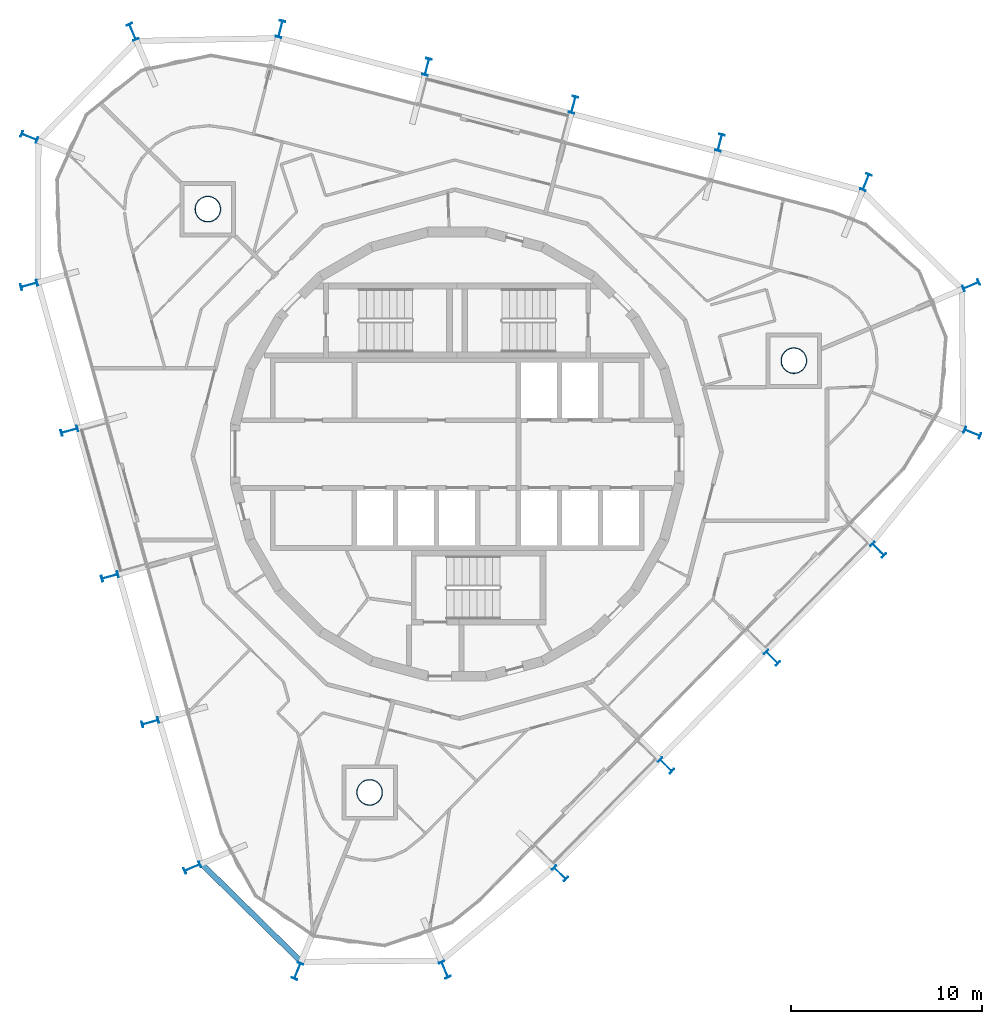
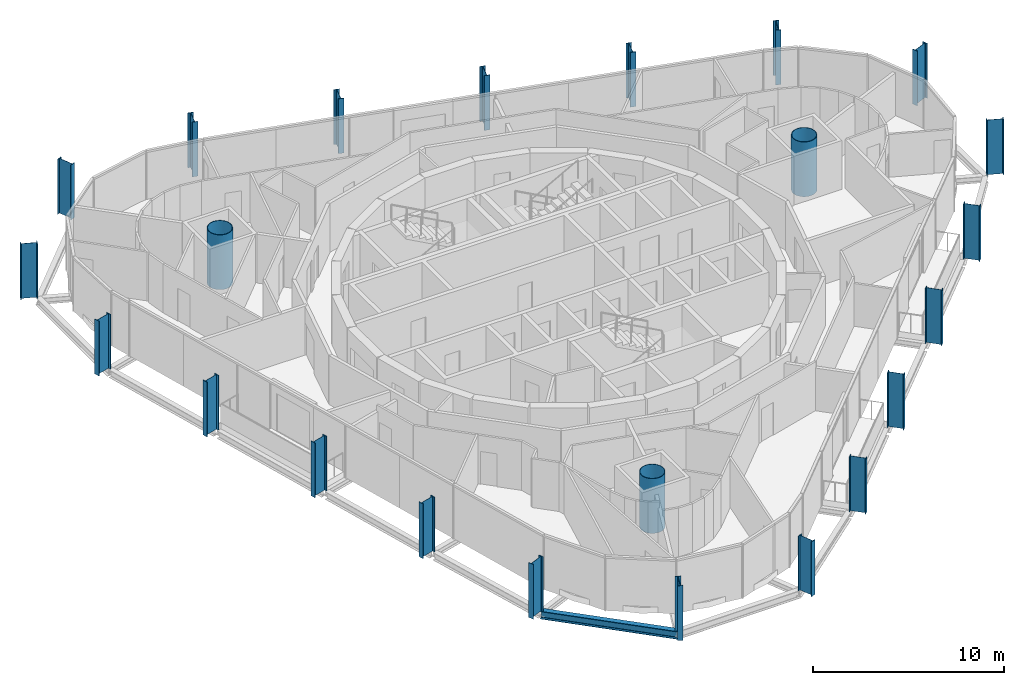
# One storey, part 1 of 15: 23 columns, 1 beam.
"""IFC4 building model written with IfcOpenShell, lengths in metres."""

import ifcopenshell
import ifcopenshell.guid

model = None  # the IFC model being written
_history = None  # IfcOwnerHistory: only IFC2X3 demands one
_inside = {}  # id of a spatial element -> (the spatial element, [elements in it])
_under = {}  # id of a project, library or spatial element -> (it, [spatial elements below it])
_declared = {}  # id of a project -> (the project, [libraries it declares])
_typed = {}  # id of a type object -> (the type object, [elements of that type])
_made_of = {}  # id of a material, layer set ... -> (it, [elements and type objects made of it])


def new_model(schema):
    """Start an empty IFC model of exactly this schema.

    Asked for "IFC4X3", IfcOpenShell would pick the latest addendum, in which some entities
    have other attributes; the version numbers below select the first issue.
    IFC2X3 requires an IfcOwnerHistory on every rooted entity: one is made here for all.
    """
    global model, _history
    if schema == "IFC4X3":
        model = ifcopenshell.file(schema_version=(4, 3, 0, 0))
    else:
        model = ifcopenshell.file(schema=schema)
    _inside.clear()
    _under.clear()
    _declared.clear()
    _typed.clear()
    _made_of.clear()
    _history = None
    if model.schema == "IFC2X3":
        org = make("IfcOrganization", Name="unknown")
        user = make(
            "IfcPersonAndOrganization",
            ThePerson=make("IfcPerson", FamilyName="unknown"),
            TheOrganization=org,
        )
        app = make(
            "IfcApplication",
            ApplicationDeveloper=org,
            Version="unknown",
            ApplicationFullName="unknown",
            ApplicationIdentifier="unknown",
        )
        _history = make(
            "IfcOwnerHistory",
            OwningUser=user,
            OwningApplication=app,
            ChangeAction="ADDED",
            CreationDate=0,
        )
    return model


def make(cls, **values):
    """One entity of the class cls with the attributes given. An attribute that is None is left unset."""
    return model.create_entity(
        cls, **{name: value for name, value in values.items() if value is not None}
    )


def rooted(cls, **values):
    """An entity with a GlobalId (a new one), such as an element, a storey or a relation."""
    return make(cls, GlobalId=ifcopenshell.guid.new(), OwnerHistory=_history, **values)


def si_unit(unit_type, name, prefix=None):
    """IfcSIUnit, for example si_unit("LENGTHUNIT", "METRE", prefix="MILLI")."""
    return make("IfcSIUnit", UnitType=unit_type, Prefix=prefix, Name=name)


def assignment(units):
    """IfcUnitAssignment: the units of a project."""
    return None if units is None else make("IfcUnitAssignment", Units=units)


def point(xyz):
    """IfcCartesianPoint."""
    return None if xyz is None else make("IfcCartesianPoint", Coordinates=xyz)


def direction(xyz):
    """IfcDirection."""
    return None if xyz is None else make("IfcDirection", DirectionRatios=xyz)


def frame(location, z_axis=None, x_axis=None):
    """IfcAxis2Placement3D, a coordinate frame: its origin and axes. An axis left out is left unset."""
    return make(
        "IfcAxis2Placement3D",
        Location=point(location),
        Axis=direction(z_axis),
        RefDirection=direction(x_axis),
    )


def frame_2d(location, x_axis=None):
    """IfcAxis2Placement2D, a coordinate frame in the plane: its origin and x axis."""
    return make(
        "IfcAxis2Placement2D", Location=point(location), RefDirection=direction(x_axis)
    )


def origin():
    """The frame at (0, 0, 0) with its axes left unset."""
    return frame((0.0, 0.0, 0.0))


def origin_2d():
    """The frame at (0, 0) in the plane with its x axis left unset."""
    return frame_2d((0.0, 0.0))


def place(relative_to, where):
    """IfcLocalPlacement: puts the frame where relative to a parent placement (None: the world)."""
    return make(
        "IfcLocalPlacement", PlacementRelTo=relative_to, RelativePlacement=where
    )


def context(
    kind, dimensions, precision=None, world=None, true_north=None, identifier=None
):
    """IfcGeometricRepresentationContext, for example the 3D "Model" context."""
    return make(
        "IfcGeometricRepresentationContext",
        ContextIdentifier=identifier,
        ContextType=kind,
        CoordinateSpaceDimension=dimensions,
        Precision=precision,
        WorldCoordinateSystem=world,
        TrueNorth=true_north,
    )


def subcontext(parent, identifier, kind, view, scale=None):
    """IfcGeometricRepresentationSubContext, for example "Body" below "Model"."""
    return make(
        "IfcGeometricRepresentationSubContext",
        ContextIdentifier=identifier,
        ContextType=kind,
        ParentContext=parent,
        TargetScale=scale,
        TargetView=view,
    )


def project(units=None, contexts=None):
    """IfcProject with its units and contexts."""
    return rooted(
        "IfcProject",
        Name="project",
        RepresentationContexts=contexts,
        UnitsInContext=assignment(units),
    )


def spatial(cls, under=None, at=None, **own):
    """A site, building, storey or space (cls), placed at a placement, below another one or the project."""
    s = rooted(cls, ObjectPlacement=at, **own)
    if under is not None:
        _under.setdefault(under.id(), (under, []))[1].append(s)
    return s


def profile(cls, at=None, kind="AREA", **sizes):
    """A parametric profile (cls). Its sizes go by their IFC names, for example OverallWidth=200.0."""
    return make(cls, ProfileType=kind, Position=at, **sizes)


def hollow_circle(**sizes):
    """IfcCircleHollowProfileDef."""
    return profile("IfcCircleHollowProfileDef", **sizes)


def i_section(**sizes):
    """IfcIShapeProfileDef."""
    return profile("IfcIShapeProfileDef", **sizes)


def extrude(swept, where, along, depth):
    """IfcExtrudedAreaSolid: the profile swept, set in the frame where, extruded along a direction by depth."""
    return make(
        "IfcExtrudedAreaSolid",
        SweptArea=swept,
        Position=where,
        ExtrudedDirection=direction(along),
        Depth=depth,
    )


def shape(context_of_items, identifier, shape_type, items):
    """IfcShapeRepresentation: the items that make up one representation, for example the "Body"."""
    return make(
        "IfcShapeRepresentation",
        ContextOfItems=context_of_items,
        RepresentationIdentifier=identifier,
        RepresentationType=shape_type,
        Items=items,
    )


def material(Name=None, Category=None):
    """IfcMaterial."""
    return make("IfcMaterial", Name=Name, Category=Category)


def material_profile(
    of_material, cross_section, Name=None, Category=None, Priority=None
):
    """IfcMaterialProfile: a cross section and its material."""
    return make(
        "IfcMaterialProfile",
        Name=Name,
        Material=of_material,
        Profile=cross_section,
        Priority=Priority,
        Category=Category,
    )


def profile_set(profiles, Name=None, composite=None):
    """IfcMaterialProfileSet."""
    return make(
        "IfcMaterialProfileSet",
        Name=Name,
        MaterialProfiles=profiles,
        CompositeProfile=composite,
    )


def made_of(thing, what):
    """Note that an element or type object is made of a material, layer set ...; save() writes the relation."""
    if what is not None:
        _made_of.setdefault(what.id(), (what, []))[1].append(thing)
    return thing


def type_object(cls, material=None, **own):
    """A type object (cls), such as IfcWallType, which elements share."""
    return made_of(rooted(cls, **own), material)


def element(
    cls,
    number,
    at=None,
    inside=None,
    cuts=None,
    type_object=None,
    material=None,
    context=None,
    identifier="Body",
    shape_type=None,
    held_by="IfcProductDefinitionShape",
    body=None,
    shapes=None,
    **own,
):
    """One element of the class cls, such as IfcWall. Its Tag is "e" and its number.

    at: its placement. inside: the storey or other place that contains it. cuts: it is an
    opening in that element (IfcRelVoidsElement). A single representation is given by context,
    identifier, shape_type and body (its items); several are given by shapes. held_by: the class
    of the entity that holds the representations. save() writes the other relations.
    """
    e = rooted(cls, Tag="e%d" % number, ObjectPlacement=at, **own)
    if body is not None:
        shapes = [shape(context, identifier, shape_type, body)]
    if shapes is not None:
        e.Representation = make(held_by, Representations=shapes)
    if inside is not None:
        _inside.setdefault(inside.id(), (inside, []))[1].append(e)
    if cuts is not None:
        rooted(
            "IfcRelVoidsElement", RelatingBuildingElement=cuts, RelatedOpeningElement=e
        )
    if type_object is not None:
        _typed.setdefault(type_object.id(), (type_object, []))[1].append(e)
    return made_of(e, material)


def aggregate(whole, parts):
    """IfcRelAggregates: a whole, such as a stair, and the parts it consists of."""
    return rooted("IfcRelAggregates", RelatingObject=whole, RelatedObjects=parts)


def save(model, path):
    """Write the relations noted so far, then the file.

    IfcRelAggregates (storeys below a building ...), IfcRelContainedInSpatialStructure (elements
    in a storey), IfcRelDefinesByType, IfcRelAssociatesMaterial and IfcRelDeclares: one each for
    every whole, place, type object, material and project.
    """
    for whole, parts in _under.values():
        aggregate(whole, parts)
    for where, things in _inside.values():
        rooted(
            "IfcRelContainedInSpatialStructure",
            RelatedElements=things,
            RelatingStructure=where,
        )
    for kind, things in _typed.values():
        rooted("IfcRelDefinesByType", RelatedObjects=things, RelatingType=kind)
    for what, things in _made_of.values():
        rooted("IfcRelAssociatesMaterial", RelatedObjects=things, RelatingMaterial=what)
    for by, libraries in _declared.values():
        rooted("IfcRelDeclares", RelatingContext=by, RelatedDefinitions=libraries)
    model.write(path)


model = new_model("IFC4")

# Units and contexts
model_context = context("Model", 3, precision=1e-05, world=origin(), true_north=direction((0.0, 1.0)))
body_context = subcontext(model_context, "Body", "Model", "MODEL_VIEW")
ifc_project = project(units=[si_unit("LENGTHUNIT", "METRE"), si_unit("AREAUNIT", "SQUARE_METRE"), si_unit("VOLUMEUNIT", "CUBIC_METRE"), si_unit("PLANEANGLEUNIT", "RADIAN"), si_unit("MASSUNIT", "GRAM", prefix="KILO")], contexts=[model_context])

# Site, building, storey
site_placement = place(None, origin())
site = spatial("IfcSite", under=ifc_project, at=site_placement, CompositionType="ELEMENT")
building_placement = place(site_placement, origin())
building = spatial("IfcBuilding", under=site, at=building_placement, Name="Spindle Arch Residences", CompositionType="ELEMENT")
storey_placement = place(building_placement, frame((0.0, 0.0, 319.199951171875)))
storey = spatial("IfcBuildingStorey", under=building, at=storey_placement, Name="L82", CompositionType="ELEMENT", Elevation=319.199951171875)

# Columns
ifc_material_1 = material(Name="Steel S460ML, intumescent coating R 240", Category="steel")
ifc_material_profile_1 = material_profile(ifc_material_1, i_section(OverallWidth=0.300048828125, OverallDepth=0.89990234375, WebThickness=0.0185546875, FlangeThickness=0.034912109375, FilletRadius=0.030029296875, at=origin_2d()), Name="HEB 900")
ifc_profile_set_1 = profile_set([ifc_material_profile_1], Name="Steel S460ML, intumescent coating R 240")
column_type_1 = type_object("IfcColumnType", Name="Exoskeleton post HEB 900", PredefinedType="COLUMN", material=ifc_profile_set_1)
for number, where, z_axis, x_axis, name in (
    (1, (16.521484375, -10.6728515625, -0.3798828125), (0.0, 0.0, 1.0), (-0.70090935439, -0.713250360623, 0.0), "Exoskeleton post 1"),
    (2, (22.083251953125, -5.01318359375, -0.3798828125), (0.0, 0.0, 1.0), (-0.70090935439, -0.713250360623, 0.0), "Exoskeleton post 2"),
    (3, (27.0263671875, 1.11279296875, -0.3798828125), (0.0, 0.0, 1.0), (-0.374802818249, -0.927104550433, 0.0), "Exoskeleton post 3"),
    (4, (26.959716796875, 8.84521484375, -0.3798828125), (0.0, 0.0, 1.0), (0.390770126794, -0.920488298679, 0.0), "Exoskeleton post 4"),
    (5, (21.443359375, 14.263916015625, -0.3798828125), (0.0, 0.0, 1.0), (0.927294785217, -0.374331913293, 0.0), "Exoskeleton post 5"),
    (6, (13.7861328125, 16.3330078125, -0.3798828125), (0.0, 0.0, 1.0), (0.968147663906, -0.250379913079, 0.0), "Exoskeleton post 6"),
    (7, (6.10400390625, 18.31982421875, -0.3798828125), (0.0, 0.0, 1.0), (0.968147663906, -0.250379913079, 0.0), "Exoskeleton post 7"),
    (8, (-1.57861328125, 20.306640625, -0.3798828125), (0.0, 0.0, 1.0), (0.968147663906, -0.250379913079, 0.0), "Exoskeleton post 8"),
    (9, (-9.2607421875, 22.29345703125, -0.3798828125), (0.0, 0.0, 1.0), (0.968147663906, -0.250379913079, 0.0), "Exoskeleton post 9"),
    (10, (-17.0185546875, 22.144775390625, -0.3798828125), (0.0, 0.0, 1.0), (0.920554476886, 0.39061420236, 0.0), "Exoskeleton post 10"),
    (11, (-22.4384765625, 16.62939453125, -0.3798828125), (0.0, 0.0, 1.0), (0.374489123858, 0.927231306693, 0.0), "Exoskeleton post 11"),
    (12, (-22.45166015625, 8.870361328125, -0.3798828125), (0.0, 0.0, 1.0), (-0.267238143562, 0.963630517691, 0.0), "Exoskeleton post 12"),
    (13, (-20.3310546875, 1.223876953125, -0.3798828125), (0.0, 0.0, 1.0), (-0.267238143562, 0.963630517691, 0.0), "Exoskeleton post 13"),
    (14, (-18.210693359375, -6.422607421875, -0.3798828125), (0.0, 0.0, 1.0), (-0.267238143562, 0.963630517691, 0.0), "Exoskeleton post 14"),
    (15, (-16.090087890625, -14.069091796875, -0.3798828125), (0.0, 0.0, 1.0), (-0.267238143562, 0.963630517691, 0.0), "Exoskeleton post 15"),
    (16, (-13.887451171875, -21.68896484375, -0.3798828125), (0.0, 0.0, 1.0), (-0.390457907184, 0.920620781167, 0.0), "Exoskeleton post 16"),
    (17, (-8.373291015625, -27.10986328125, -0.3798828125), (0.0, 0.0, 1.0), (-0.9271679418, 0.374645976487, 0.0), "Exoskeleton post 17"),
    (18, (-0.640869140625, -27.041748046875, -0.3798828125), (0.0, 0.0, 1.0), (-0.920422094083, -0.390926039967, 0.0), "Exoskeleton post 18"),
    (19, (5.397705078125, -21.9921875, -0.3798828125), (0.0, 0.0, 1.0), (-0.70090935439, -0.713250360623, 0.0), "Exoskeleton post 19"),
    (20, (10.959716796875, -16.33251953125, -0.3798828125), (0.0, 0.0, 1.0), (-0.70090935439, -0.713250360623, 0.0), "Exoskeleton post 20"),
):
    element("IfcColumn", number, at=place(storey_placement, frame(where, z_axis=z_axis, x_axis=x_axis)), inside=storey, type_object=column_type_1, Name=name, PredefinedType="COLUMN", context=body_context, shape_type="SweptSolid", body=[
        extrude(i_section(OverallWidth=0.300048828125, OverallDepth=0.89990234375, WebThickness=0.0185546875, FlangeThickness=0.034912109375, FilletRadius=0.030029296875, at=origin_2d()), origin(), (0.0, 0.0, 1.0), 3.5),
    ])
ifc_material_2 = material(Name="Concrete C50/60 filled steel tube S460ML, intumescent coating R 240", Category="concrete")
ifc_material_profile_2 = material_profile(ifc_material_2, hollow_circle(Radius=0.675048828125, WallThickness=0.030029296875, at=origin_2d()), Name="CFT D1350x30")
ifc_profile_set_2 = profile_set([ifc_material_profile_2], Name="Concrete C50/60 filled steel tube S460ML, intumescent coating R 240")
column_type_2 = type_object("IfcColumnType", Name="Mega-column CFT D1350x30", PredefinedType="COLUMN", material=ifc_profile_set_2)
for number, where, z_axis, x_axis, name in (
    (21, (17.66259765625, 4.898193359375, -0.3798828125), (0.0, 0.0, 1.0), (1.0, 0.0, 0.0), "Mega-column 1"),
    (22, (-13.0732421875, 12.84716796875, -0.3798828125), (0.0, 0.0, 1.0), (1.0, 0.0, 0.0), "Mega-column 2"),
    (23, (-4.58935546875, -17.745361328125, -0.3798828125), (0.0, 0.0, 1.0), (1.0, 0.0, 0.0), "Mega-column 3"),
):
    element("IfcColumn", number, at=place(storey_placement, frame(where, z_axis=z_axis, x_axis=x_axis)), inside=storey, type_object=column_type_2, Name=name, PredefinedType="COLUMN", context=body_context, shape_type="SweptSolid", body=[
        extrude(hollow_circle(Radius=0.675048828125, WallThickness=0.030029296875, at=origin_2d()), origin(), (0.0, 0.0, 1.0), 3.5),
    ])

# Beam
ifc_material_3 = material(Name="Steel S460ML, intumescent coating R 120", Category="steel")
ifc_material_profile_3 = material_profile(ifc_material_3, i_section(OverallWidth=0.300048828125, OverallDepth=0.5, WebThickness=0.014404296875, FlangeThickness=0.028076171875, FilletRadius=0.027099609375, at=origin_2d()), Name="HEB 500")
ifc_profile_set_3 = profile_set([ifc_material_profile_3], Name="Steel S460ML, intumescent coating R 120")
beam_type = type_object("IfcBeamType", Name="Exoskeleton edge beam HEB 500", PredefinedType="BEAM", material=ifc_profile_set_3)
beam_placement = place(storey_placement, frame((-13.458251953125, -21.437744140625, -0.6298828125), z_axis=(0.713108879245, -0.701053297789, 0.0), x_axis=(0.701053297789, 0.713108879245, 0.0)))
element("IfcBeam", 24, at=beam_placement, inside=storey, type_object=beam_type, Name="Exoskeleton edge beam 16", PredefinedType="BEAM", context=body_context, shape_type="SweptSolid", body=[
    extrude(i_section(OverallWidth=0.300048828125, OverallDepth=0.5, WebThickness=0.014404296875, FlangeThickness=0.028076171875, FilletRadius=0.027099609375, at=origin_2d()), origin(), (0.0, 0.0, 1.0), 7.47265625),
])

save(model, "model.ifc")
